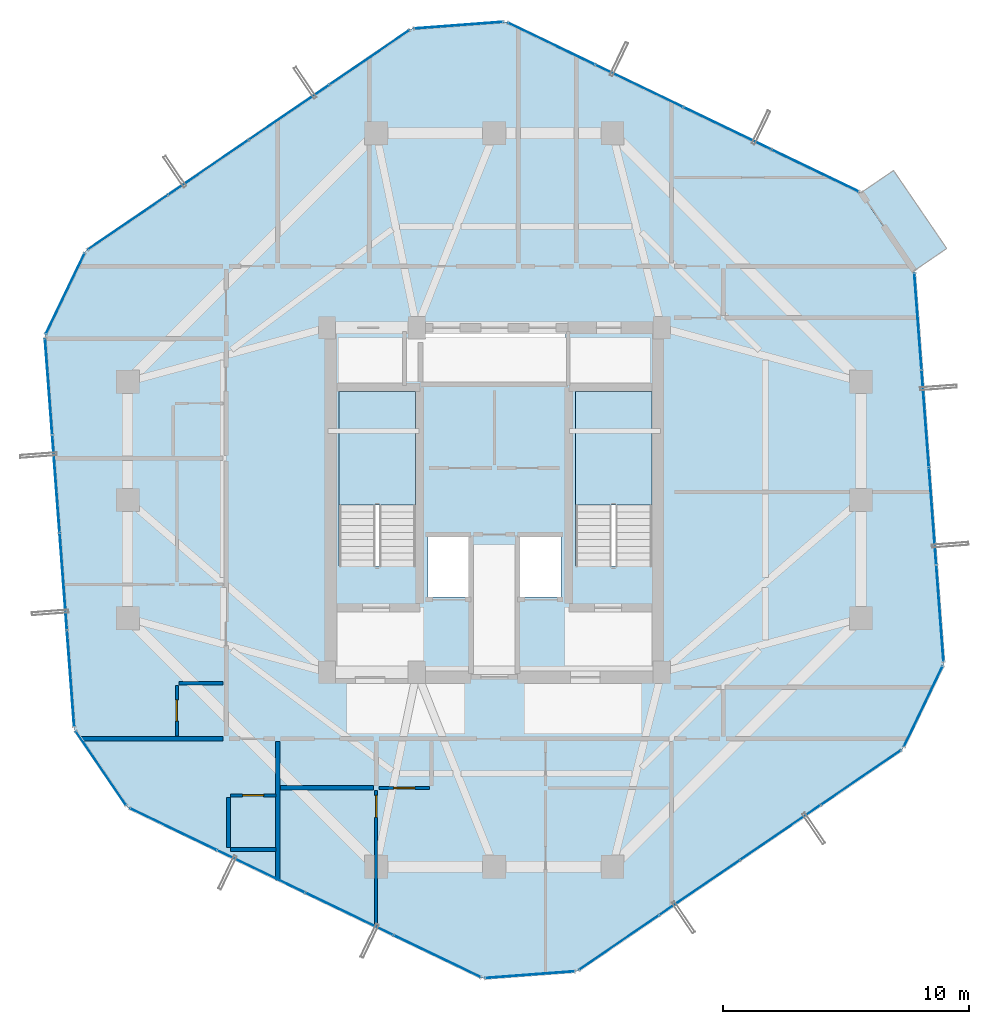
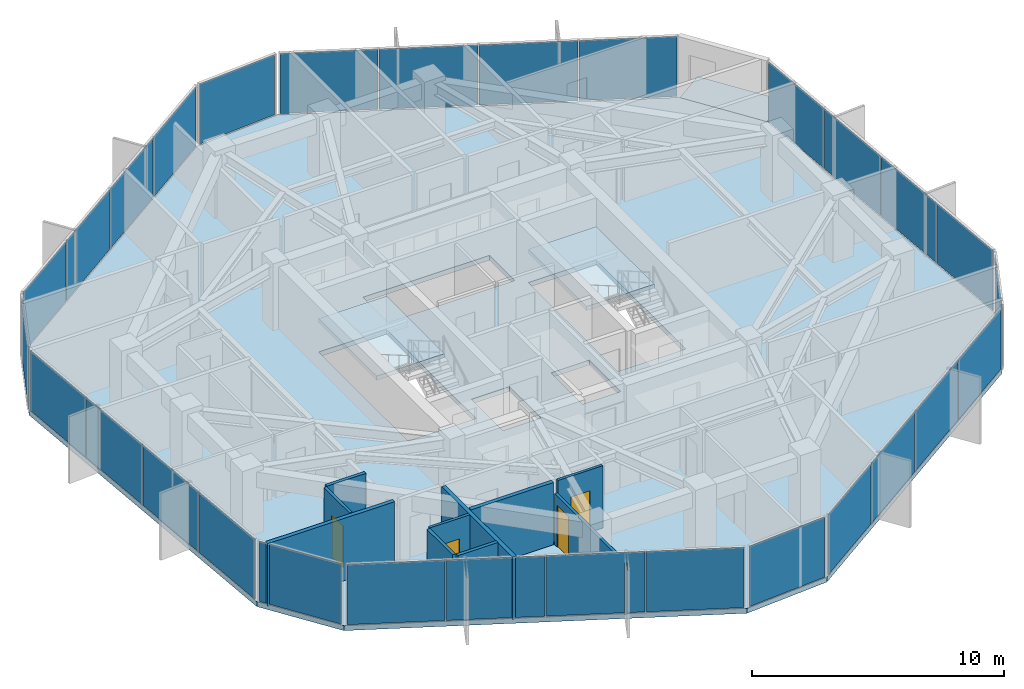
# One storey, part 29 of 34: 29 plates, 10 walls, 4 doors, 4 slabs, 4 openings, 13 elements without a shape of their own.
"""IFC4 building model written with IfcOpenShell, lengths in metres."""

from ifc_helpers import new_model, si_unit, direction, frame, frame_2d, origin, origin_2d, place, context, subcontext, project, spatial, polyline, rectangle, outline, extrude, source, transform, mapped, material, layer, layer_set, type_object, element, fill, aggregate, save


model = new_model("IFC4")

# Units and contexts
model_context = context("Model", 3, precision=1e-05, world=origin(), true_north=direction((0.0, 1.0)))
body_context = subcontext(model_context, "Body", "Model", "MODEL_VIEW")
ifc_project = project(units=[si_unit("LENGTHUNIT", "METRE"), si_unit("AREAUNIT", "SQUARE_METRE"), si_unit("VOLUMEUNIT", "CUBIC_METRE"), si_unit("PLANEANGLEUNIT", "RADIAN"), si_unit("MASSUNIT", "GRAM", prefix="KILO")], contexts=[model_context])

# Site, building, storey
site_placement = place(None, origin())
site = spatial("IfcSite", under=ifc_project, at=site_placement, CompositionType="ELEMENT")
building_placement = place(site_placement, origin())
building = spatial("IfcBuilding", under=site, at=building_placement, Name="Veraguas Prism Commons", CompositionType="ELEMENT")
storey_placement = place(building_placement, frame((0.0, 0.0, 191.85009765625)))
storey = spatial("IfcBuildingStorey", under=building, at=storey_placement, Name="L54", CompositionType="ELEMENT", Elevation=191.85009765625)

# Stair, slab
ifc_material_1 = material(Name="Precast concrete C45/55", Category="concrete")
stair_type = type_object("IfcStairType", Name="Dogleg Core Stair 1480W 20R 05", PredefinedType="HALF_TURN_STAIR", material=ifc_material_1)
stair_1_placement = place(storey_placement, origin())
stair_1 = element("IfcStair", 1, at=stair_1_placement, inside=storey, type_object=stair_type, Name="Protected Exit Stair ST-01 L54", PredefinedType="HALF_TURN_STAIR")
ifc_layer_1 = layer(ifc_material_1, 0.199951171875, Name="Precast Stair and Ramp Landing Slab 200", Category="concrete")
ifc_layer_set_1 = layer_set([ifc_layer_1], Name="Precast concrete C45/55")
slab_type_1 = type_object("IfcSlabType", Name="Precast Stair and Ramp Landing Slab 200", PredefinedType="LANDING", material=ifc_layer_set_1)
slab_1_placement = place(storey_placement, frame((0.0, 0.0, 1.4248046875)))
slab_1 = element("IfcSlab", 2, at=slab_1_placement, type_object=slab_type_1, Name="ST-05 Landing 1", PredefinedType="LANDING", context=body_context, shape_type="SweptSolid", body=[
    extrude(outline(polyline([(20.800048828125, 23.800048828125), (20.800048828125, 28.39990234375), (17.68994140625, 28.39990234375), (17.68994140625, 23.800048828125), (20.800048828125, 23.800048828125)])), origin(), (0.0, 0.0, 1.0), 0.2001953125),
])
aggregate(stair_1, [slab_1])

stair_2_placement = place(storey_placement, origin())
stair_2 = element("IfcStair", 3, at=stair_2_placement, inside=storey, type_object=stair_type, Name="Protected Exit Stair ST-02 L54", PredefinedType="HALF_TURN_STAIR")
slab_2_placement = place(storey_placement, frame((0.0, 0.0, 1.4248046875)))
slab_2 = element("IfcSlab", 4, at=slab_2_placement, type_object=slab_type_1, Name="ST-05 Landing 1", PredefinedType="LANDING", context=body_context, shape_type="SweptSolid", body=[
    extrude(outline(polyline([(30.39990234375, 23.800048828125), (30.39990234375, 28.39990234375), (27.2900390625, 28.39990234375), (27.2900390625, 23.800048828125), (30.39990234375, 23.800048828125)])), origin(), (0.0, 0.0, 1.0), 0.2001953125),
])
aggregate(stair_2, [slab_2])

# Slabs
ifc_material_2 = material(Name="Concrete C45/55", Category="concrete")
ifc_layer_2 = layer(ifc_material_2, 0.219970703125, Name="Recessed Loggia and Terrace Slab RC 220", Category="concrete")
ifc_layer_set_2 = layer_set([ifc_layer_2], Name="Concrete C45/55")
slab_type_2 = type_object("IfcSlabType", Name="Recessed Loggia and Terrace Slab RC 220", PredefinedType="FLOOR", material=ifc_layer_set_2)
slab_3_placement = place(storey_placement, frame((0.0, 0.0, -0.22021484375)))
element("IfcSlab", 5, at=slab_3_placement, inside=storey, type_object=slab_type_2, Name="Recessed Corner Loggia L54-C1", PredefinedType="FLOOR", context=body_context, shape_type="SweptSolid", body=[
    extrude(outline(polyline([(41.043212890625, 33.305419921875), (42.38134765625, 34.21826171875), (40.220703125, 37.3857421875), (38.88232421875, 36.472900390625), (41.043212890625, 33.305419921875)])), origin(), (0.0, 0.0, 1.0), 0.22021484375),
])
ifc_layer_3 = layer(ifc_material_2, 0.235107421875, Name="Tower Upper Residential Floor Slab RC 235", Category="concrete")
ifc_layer_set_3 = layer_set([ifc_layer_3], Name="Concrete C45/55")
slab_type_3 = type_object("IfcSlabType", Name="Tower Upper Residential Floor Slab RC 235", PredefinedType="FLOOR", material=ifc_layer_set_3)
slab_4_placement = place(storey_placement, frame((0.0, 0.0, -0.235107421875)))
element("IfcSlab", 6, at=slab_4_placement, inside=storey, type_object=slab_type_3, Name="Tower Floor Slab L54", PredefinedType="FLOOR", context=body_context, shape_type="SweptSolid", body=[
    extrude(outline(polyline([(41.059814453125, 33.316650390625), (38.89892578125, 36.484130859375), (24.46142578125, 43.432373046875), (20.637939453125, 43.14501953125), (7.40185546875, 34.11572265625), (5.739013671875, 30.660888671875), (6.940185546875, 14.683349609375), (9.10107421875, 11.515869140625), (23.53857421875, 4.567626953125), (27.362060546875, 4.85498046875), (40.59814453125, 13.88427734375), (42.260986328125, 17.339111328125), (41.059814453125, 33.316650390625)]), holes=[polyline([(20.800048828125, 21.31005859375), (20.800048828125, 28.39990234375), (17.68994140625, 28.39990234375), (17.68994140625, 21.31005859375), (20.800048828125, 21.31005859375)]), polyline([(30.39990234375, 21.31005859375), (30.39990234375, 28.39990234375), (27.2900390625, 28.39990234375), (27.2900390625, 21.31005859375), (30.39990234375, 21.31005859375)]), polyline([(21.10009765625, 28.800048828125), (26.89990234375, 28.800048828125), (26.89990234375, 30.800048828125), (21.10009765625, 30.800048828125), (21.10009765625, 28.800048828125)]), polyline([(21.300048828125, 20.050048828125), (23.050048828125, 20.050048828125), (23.050048828125, 22.550048828125), (21.300048828125, 22.550048828125), (21.300048828125, 20.050048828125)]), polyline([(24.949951171875, 20.050048828125), (26.699951171875, 20.050048828125), (26.699951171875, 22.550048828125), (24.949951171875, 22.550048828125), (24.949951171875, 20.050048828125)])]), origin(), (0.0, 0.0, 1.0), 0.235107421875),
])

# Curtain wall, plates
ifc_material_3 = material(Name="Anodised aluminium EN AW-6063 T6", Category="aluminium")
ifc_layer_4 = layer(ifc_material_3, 0.14990234375, Name="Unitised Flush Curtain Wall Zone 3", Category="aluminium")
ifc_layer_set_4 = layer_set([ifc_layer_4], Name="Anodised aluminium EN AW-6063 T6")
curtain_wall_type = type_object("IfcCurtainWallType", Name="Unitised Flush Curtain Wall Zone 3", PredefinedType="NOTDEFINED", material=ifc_layer_set_4)
curtain_wall_1_placement = place(storey_placement, origin())
curtain_wall_1 = element("IfcCurtainWall", 7, at=curtain_wall_1_placement, inside=storey, type_object=curtain_wall_type, Name="Tower Facade Curtain Wall L54-F1", PredefinedType="NOTDEFINED")
ifc_material_4 = material(Name="Laminated low-e glass", Category="glass")
ifc_layer_5 = layer(ifc_material_4, 0.028076171875, Name="Unitised Double Low-E Glazed Panel 28", Category="glass")
ifc_layer_set_5 = layer_set([ifc_layer_5], Name="Laminated low-e glass")
plate_type = type_object("IfcPlateType", Name="Unitised Double Low-E Glazed Panel 28", PredefinedType="CURTAIN_PANEL", material=ifc_layer_set_5)
shared_shape_1 = source(origin(), body_context, "Body", "SweptSolid", [
    extrude(rectangle(XDim=3.885498046875, YDim=0.028076171875, at=origin_2d()), origin(), (0.0, 0.0, 1.0), 2.905029296875),
])
plate_1_placement = place(storey_placement, frame((37.0400390625, 37.378662109375, 0.0546875), z_axis=(0.0, 0.0, 1.0), x_axis=(-0.901073993789, 0.433665375281, 0.0)))
plate_1 = element("IfcPlate", 8, at=plate_1_placement, type_object=plate_type, Name="CW-Z3 Panel 1.1", PredefinedType="CURTAIN_PANEL", context=body_context, shape_type="MappedRepresentation", body=[
    mapped(shared_shape_1, transform((0.0, 0.0, 0.0), scale=1.0)),
])
plate_2_placement = place(storey_placement, frame((26.3203125, 42.537841796875, 0.0546875), z_axis=(0.0, 0.0, 1.0), x_axis=(-0.901073993789, 0.433665375281, 0.0)))
plate_2 = element("IfcPlate", 9, at=plate_2_placement, type_object=plate_type, Name="CW-Z3 Panel 4.1", PredefinedType="CURTAIN_PANEL", context=body_context, shape_type="MappedRepresentation", body=[
    mapped(shared_shape_1, transform((0.0, 0.0, 0.0), scale=1.0)),
])

curtain_wall_2_placement = place(storey_placement, origin())
curtain_wall_2 = element("IfcCurtainWall", 10, at=curtain_wall_2_placement, inside=storey, type_object=curtain_wall_type, Name="Tower Facade Curtain Wall L54-F2", PredefinedType="NOTDEFINED")
plate_3_placement = place(storey_placement, frame((18.933837890625, 41.982421875, 0.0546875), z_axis=(0.0, 0.0, 1.0), x_axis=(-0.826095343869, -0.56353037437, 0.0)))
plate_3 = element("IfcPlate", 11, at=plate_3_placement, type_object=plate_type, Name="CW-Z3 Panel 1.1", PredefinedType="CURTAIN_PANEL", context=body_context, shape_type="MappedRepresentation", body=[
    mapped(shared_shape_1, transform((0.0, 0.0, 0.0), scale=1.0)),
])
plate_4_placement = place(storey_placement, frame((9.10595703125, 35.2783203125, 0.0546875), z_axis=(0.0, 0.0, 1.0), x_axis=(-0.826095343869, -0.56353037437, 0.0)))
plate_4 = element("IfcPlate", 12, at=plate_4_placement, type_object=plate_type, Name="CW-Z3 Panel 4.1", PredefinedType="CURTAIN_PANEL", context=body_context, shape_type="MappedRepresentation", body=[
    mapped(shared_shape_1, transform((0.0, 0.0, 0.0), scale=1.0)),
])

curtain_wall_3_placement = place(storey_placement, origin())
curtain_wall_3 = element("IfcCurtainWall", 13, at=curtain_wall_3_placement, inside=storey, type_object=curtain_wall_type, Name="Tower Facade Curtain Wall L54-F4", PredefinedType="NOTDEFINED")
plate_5_placement = place(storey_placement, frame((10.9599609375, 10.621337890625, 0.0546875), z_axis=(0.0, 0.0, 1.0), x_axis=(0.901073993789, -0.433665375281, 0.0)))
plate_5 = element("IfcPlate", 14, at=plate_5_placement, type_object=plate_type, Name="CW-Z3 Panel 1.1", PredefinedType="CURTAIN_PANEL", context=body_context, shape_type="MappedRepresentation", body=[
    mapped(shared_shape_1, transform((0.0, 0.0, 0.0), scale=1.0)),
])
plate_6_placement = place(storey_placement, frame((21.6796875, 5.462158203125, 0.0546875), z_axis=(0.0, 0.0, 1.0), x_axis=(0.901073993789, -0.433665375281, 0.0)))
plate_6 = element("IfcPlate", 15, at=plate_6_placement, type_object=plate_type, Name="CW-Z3 Panel 4.1", PredefinedType="CURTAIN_PANEL", context=body_context, shape_type="MappedRepresentation", body=[
    mapped(shared_shape_1, transform((0.0, 0.0, 0.0), scale=1.0)),
])

curtain_wall_4_placement = place(storey_placement, origin())
curtain_wall_4 = element("IfcCurtainWall", 16, at=curtain_wall_4_placement, inside=storey, type_object=curtain_wall_type, Name="Tower Facade Curtain Wall L54-F5", PredefinedType="NOTDEFINED")
plate_7_placement = place(storey_placement, frame((29.066162109375, 6.017578125, 0.0546875), z_axis=(0.0, 0.0, 1.0), x_axis=(0.826095343869, 0.56353037437, 0.0)))
plate_7 = element("IfcPlate", 17, at=plate_7_placement, type_object=plate_type, Name="CW-Z3 Panel 1.1", PredefinedType="CURTAIN_PANEL", context=body_context, shape_type="MappedRepresentation", body=[
    mapped(shared_shape_1, transform((0.0, 0.0, 0.0), scale=1.0)),
])
plate_8_placement = place(storey_placement, frame((38.89404296875, 12.7216796875, 0.0546875), z_axis=(0.0, 0.0, 1.0), x_axis=(0.826095343869, 0.56353037437, 0.0)))
plate_8 = element("IfcPlate", 18, at=plate_8_placement, type_object=plate_type, Name="CW-Z3 Panel 4.1", PredefinedType="CURTAIN_PANEL", context=body_context, shape_type="MappedRepresentation", body=[
    mapped(shared_shape_1, transform((0.0, 0.0, 0.0), scale=1.0)),
])

# Plate
shared_shape_2 = source(origin(), body_context, "Body", "SweptSolid", [
    extrude(rectangle(XDim=3.91552734375, YDim=0.028076171875, at=origin_2d()), origin(), (0.0, 0.0, 1.0), 2.905029296875),
])
plate_9_placement = place(storey_placement, frame((33.471435546875, 39.09619140625, 0.0546875), z_axis=(0.0, 0.0, 1.0), x_axis=(-0.901073993789, 0.433665375281, 0.0)))
plate_9 = element("IfcPlate", 19, at=plate_9_placement, type_object=plate_type, Name="CW-Z3 Panel 2.1", PredefinedType="CURTAIN_PANEL", context=body_context, shape_type="MappedRepresentation", body=[
    mapped(shared_shape_2, transform((0.0, 0.0, 0.0), scale=1.0)),
])

plate_10_placement = place(storey_placement, frame((29.88916015625, 40.8203125, 0.0546875), z_axis=(0.0, 0.0, 1.0), x_axis=(-0.901073993789, 0.433665375281, 0.0)))
plate_10 = element("IfcPlate", 20, at=plate_10_placement, type_object=plate_type, Name="CW-Z3 Panel 3.1", PredefinedType="CURTAIN_PANEL", context=body_context, shape_type="MappedRepresentation", body=[
    mapped(shared_shape_2, transform((0.0, 0.0, 0.0), scale=1.0)),
])

aggregate(curtain_wall_1, [plate_1, plate_9, plate_10, plate_2])

plate_11_placement = place(storey_placement, frame((15.661865234375, 39.75048828125, 0.0546875), z_axis=(0.0, 0.0, 1.0), x_axis=(-0.826095343869, -0.56353037437, 0.0)))
plate_11 = element("IfcPlate", 21, at=plate_11_placement, type_object=plate_type, Name="CW-Z3 Panel 2.1", PredefinedType="CURTAIN_PANEL", context=body_context, shape_type="MappedRepresentation", body=[
    mapped(shared_shape_2, transform((0.0, 0.0, 0.0), scale=1.0)),
])

plate_12_placement = place(storey_placement, frame((12.377685546875, 37.51025390625, 0.0546875), z_axis=(0.0, 0.0, 1.0), x_axis=(-0.826095343869, -0.56353037437, 0.0)))
plate_12 = element("IfcPlate", 22, at=plate_12_placement, type_object=plate_type, Name="CW-Z3 Panel 3.1", PredefinedType="CURTAIN_PANEL", context=body_context, shape_type="MappedRepresentation", body=[
    mapped(shared_shape_2, transform((0.0, 0.0, 0.0), scale=1.0)),
])

aggregate(curtain_wall_2, [plate_3, plate_11, plate_12, plate_4])

# Curtain wall, plates
curtain_wall_5_placement = place(storey_placement, origin())
curtain_wall_5 = element("IfcCurtainWall", 23, at=curtain_wall_5_placement, inside=storey, type_object=curtain_wall_type, Name="Tower Facade Curtain Wall L54-F3", PredefinedType="NOTDEFINED")
plate_13_placement = place(storey_placement, frame((6.190673828125, 24.654296875, 0.0546875), z_axis=(0.0, 0.0, 1.0), x_axis=(0.074975245993, -0.997185395244, 0.0)))
plate_13 = element("IfcPlate", 24, at=plate_13_placement, type_object=plate_type, Name="CW-Z3 Panel 2.1", PredefinedType="CURTAIN_PANEL", context=body_context, shape_type="MappedRepresentation", body=[
    mapped(shared_shape_2, transform((0.0, 0.0, 0.0), scale=1.0)),
])
plate_14_placement = place(storey_placement, frame((6.48876953125, 20.68994140625, 0.0546875), z_axis=(0.0, 0.0, 1.0), x_axis=(0.074975245993, -0.997185395244, 0.0)))
plate_14 = element("IfcPlate", 25, at=plate_14_placement, type_object=plate_type, Name="CW-Z3 Panel 3.1", PredefinedType="CURTAIN_PANEL", context=body_context, shape_type="MappedRepresentation", body=[
    mapped(shared_shape_2, transform((0.0, 0.0, 0.0), scale=1.0)),
])

# Plate
plate_15_placement = place(storey_placement, frame((14.528564453125, 8.90380859375, 0.0546875), z_axis=(0.0, 0.0, 1.0), x_axis=(0.901073993789, -0.433665375281, 0.0)))
plate_15 = element("IfcPlate", 26, at=plate_15_placement, type_object=plate_type, Name="CW-Z3 Panel 2.1", PredefinedType="CURTAIN_PANEL", context=body_context, shape_type="MappedRepresentation", body=[
    mapped(shared_shape_2, transform((0.0, 0.0, 0.0), scale=1.0)),
])

plate_16_placement = place(storey_placement, frame((18.11083984375, 7.1796875, 0.0546875), z_axis=(0.0, 0.0, 1.0), x_axis=(0.901073993789, -0.433665375281, 0.0)))
plate_16 = element("IfcPlate", 27, at=plate_16_placement, type_object=plate_type, Name="CW-Z3 Panel 3.1", PredefinedType="CURTAIN_PANEL", context=body_context, shape_type="MappedRepresentation", body=[
    mapped(shared_shape_2, transform((0.0, 0.0, 0.0), scale=1.0)),
])

aggregate(curtain_wall_3, [plate_5, plate_15, plate_16, plate_6])

plate_17_placement = place(storey_placement, frame((32.338134765625, 8.24951171875, 0.0546875), z_axis=(0.0, 0.0, 1.0), x_axis=(0.826095343869, 0.56353037437, 0.0)))
plate_17 = element("IfcPlate", 28, at=plate_17_placement, type_object=plate_type, Name="CW-Z3 Panel 2.1", PredefinedType="CURTAIN_PANEL", context=body_context, shape_type="MappedRepresentation", body=[
    mapped(shared_shape_2, transform((0.0, 0.0, 0.0), scale=1.0)),
])

plate_18_placement = place(storey_placement, frame((35.622314453125, 10.48974609375, 0.0546875), z_axis=(0.0, 0.0, 1.0), x_axis=(0.826095343869, 0.56353037437, 0.0)))
plate_18 = element("IfcPlate", 29, at=plate_18_placement, type_object=plate_type, Name="CW-Z3 Panel 3.1", PredefinedType="CURTAIN_PANEL", context=body_context, shape_type="MappedRepresentation", body=[
    mapped(shared_shape_2, transform((0.0, 0.0, 0.0), scale=1.0)),
])

aggregate(curtain_wall_4, [plate_7, plate_17, plate_18, plate_8])

# Curtain wall, plates
curtain_wall_6_placement = place(storey_placement, origin())
curtain_wall_6 = element("IfcCurtainWall", 30, at=curtain_wall_6_placement, inside=storey, type_object=curtain_wall_type, Name="Tower Facade Curtain Wall L54-F6", PredefinedType="NOTDEFINED")
plate_19_placement = place(storey_placement, frame((41.809326171875, 23.345703125, 0.0546875), z_axis=(0.0, 0.0, 1.0), x_axis=(-0.074975245993, 0.997185395244, 0.0)))
plate_19 = element("IfcPlate", 31, at=plate_19_placement, type_object=plate_type, Name="CW-Z3 Panel 2.1", PredefinedType="CURTAIN_PANEL", context=body_context, shape_type="MappedRepresentation", body=[
    mapped(shared_shape_2, transform((0.0, 0.0, 0.0), scale=1.0)),
])
plate_20_placement = place(storey_placement, frame((41.51123046875, 27.31005859375, 0.0546875), z_axis=(0.0, 0.0, 1.0), x_axis=(-0.074975245993, 0.997185395244, 0.0)))
plate_20 = element("IfcPlate", 32, at=plate_20_placement, type_object=plate_type, Name="CW-Z3 Panel 3.1", PredefinedType="CURTAIN_PANEL", context=body_context, shape_type="MappedRepresentation", body=[
    mapped(shared_shape_2, transform((0.0, 0.0, 0.0), scale=1.0)),
])

# Plate
shared_shape_3 = source(origin(), body_context, "Body", "SweptSolid", [
    extrude(rectangle(XDim=3.8857421875, YDim=0.028076171875, at=origin_2d()), origin(), (0.0, 0.0, 1.0), 2.905029296875),
])
plate_21_placement = place(storey_placement, frame((5.8935546875, 28.603759765625, 0.0546875), z_axis=(0.0, 0.0, 1.0), x_axis=(0.074975245993, -0.997185395244, 0.0)))
plate_21 = element("IfcPlate", 33, at=plate_21_placement, type_object=plate_type, Name="CW-Z3 Panel 1.1", PredefinedType="CURTAIN_PANEL", context=body_context, shape_type="MappedRepresentation", body=[
    mapped(shared_shape_3, transform((0.0, 0.0, 0.0), scale=1.0)),
])

plate_22_placement = place(storey_placement, frame((6.78564453125, 16.740478515625, 0.0546875), z_axis=(0.0, 0.0, 1.0), x_axis=(0.074975245993, -0.997185395244, 0.0)))
plate_22 = element("IfcPlate", 34, at=plate_22_placement, type_object=plate_type, Name="CW-Z3 Panel 4.1", PredefinedType="CURTAIN_PANEL", context=body_context, shape_type="MappedRepresentation", body=[
    mapped(shared_shape_3, transform((0.0, 0.0, 0.0), scale=1.0)),
])

aggregate(curtain_wall_5, [plate_21, plate_13, plate_14, plate_22])

plate_23_placement = place(storey_placement, frame((42.1064453125, 19.396240234375, 0.0546875), z_axis=(0.0, 0.0, 1.0), x_axis=(-0.074975245993, 0.997185395244, 0.0)))
plate_23 = element("IfcPlate", 35, at=plate_23_placement, type_object=plate_type, Name="CW-Z3 Panel 1.1", PredefinedType="CURTAIN_PANEL", context=body_context, shape_type="MappedRepresentation", body=[
    mapped(shared_shape_3, transform((0.0, 0.0, 0.0), scale=1.0)),
])

plate_24_placement = place(storey_placement, frame((41.21435546875, 31.259521484375, 0.0546875), z_axis=(0.0, 0.0, 1.0), x_axis=(-0.074975245993, 0.997185395244, 0.0)))
plate_24 = element("IfcPlate", 36, at=plate_24_placement, type_object=plate_type, Name="CW-Z3 Panel 4.1", PredefinedType="CURTAIN_PANEL", context=body_context, shape_type="MappedRepresentation", body=[
    mapped(shared_shape_3, transform((0.0, 0.0, 0.0), scale=1.0)),
])

aggregate(curtain_wall_6, [plate_23, plate_19, plate_20, plate_24])

# Curtain wall, plate
curtain_wall_7_placement = place(storey_placement, origin())
curtain_wall_7 = element("IfcCurtainWall", 37, at=curtain_wall_7_placement, inside=storey, type_object=curtain_wall_type, Name="Chamfer Curtain Wall L54-C3", PredefinedType="NOTDEFINED")
shared_shape_4 = source(origin(), body_context, "Body", "SweptSolid", [
    extrude(rectangle(XDim=3.59423828125, YDim=0.028076171875, at=origin_2d()), origin(), (0.0, 0.0, 1.0), 2.905029296875),
])
plate_25_placement = place(storey_placement, frame((6.5703125, 32.38818359375, 0.0546875), z_axis=(0.0, 0.0, 1.0), x_axis=(-0.433679529265, -0.901067181678, 0.0)))
plate_25 = element("IfcPlate", 38, at=plate_25_placement, type_object=plate_type, Name="CW-Z3 Panel 1.1", PredefinedType="CURTAIN_PANEL", context=body_context, shape_type="MappedRepresentation", body=[
    mapped(shared_shape_4, transform((0.0, 0.0, 0.0), scale=1.0)),
])
aggregate(curtain_wall_7, [plate_25])

curtain_wall_8_placement = place(storey_placement, origin())
curtain_wall_8 = element("IfcCurtainWall", 39, at=curtain_wall_8_placement, inside=storey, type_object=curtain_wall_type, Name="Chamfer Curtain Wall L54-C4", PredefinedType="NOTDEFINED")
plate_26_placement = place(storey_placement, frame((8.020751953125, 13.099609375, 0.0546875), z_axis=(0.0, 0.0, 1.0), x_axis=(0.563553443085, -0.82607960681, 0.0)))
plate_26 = element("IfcPlate", 40, at=plate_26_placement, type_object=plate_type, Name="CW-Z3 Panel 1.1", PredefinedType="CURTAIN_PANEL", context=body_context, shape_type="MappedRepresentation", body=[
    mapped(shared_shape_4, transform((0.0, 0.0, 0.0), scale=1.0)),
])
aggregate(curtain_wall_8, [plate_26])

curtain_wall_9_placement = place(storey_placement, origin())
curtain_wall_9 = element("IfcCurtainWall", 41, at=curtain_wall_9_placement, inside=storey, type_object=curtain_wall_type, Name="Chamfer Curtain Wall L54-C6", PredefinedType="NOTDEFINED")
plate_27_placement = place(storey_placement, frame((41.4296875, 15.61181640625, 0.0546875), z_axis=(0.0, 0.0, 1.0), x_axis=(0.433679529265, 0.901067181678, 0.0)))
plate_27 = element("IfcPlate", 42, at=plate_27_placement, type_object=plate_type, Name="CW-Z3 Panel 1.1", PredefinedType="CURTAIN_PANEL", context=body_context, shape_type="MappedRepresentation", body=[
    mapped(shared_shape_4, transform((0.0, 0.0, 0.0), scale=1.0)),
])
aggregate(curtain_wall_9, [plate_27])

curtain_wall_10_placement = place(storey_placement, origin())
curtain_wall_10 = element("IfcCurtainWall", 43, at=curtain_wall_10_placement, inside=storey, type_object=curtain_wall_type, Name="Chamfer Curtain Wall L54-C2", PredefinedType="NOTDEFINED")
shared_shape_5 = source(origin(), body_context, "Body", "SweptSolid", [
    extrude(rectangle(XDim=3.594482421875, YDim=0.028076171875, at=origin_2d()), origin(), (0.0, 0.0, 1.0), 2.905029296875),
])
plate_28_placement = place(storey_placement, frame((22.5498046875, 43.28857421875, 0.0546875), z_axis=(0.0, 0.0, 1.0), x_axis=(-0.997185264386, -0.07497698641, 0.0)))
plate_28 = element("IfcPlate", 44, at=plate_28_placement, type_object=plate_type, Name="CW-Z3 Panel 1.1", PredefinedType="CURTAIN_PANEL", context=body_context, shape_type="MappedRepresentation", body=[
    mapped(shared_shape_5, transform((0.0, 0.0, 0.0), scale=1.0)),
])
aggregate(curtain_wall_10, [plate_28])

curtain_wall_11_placement = place(storey_placement, origin())
curtain_wall_11 = element("IfcCurtainWall", 45, at=curtain_wall_11_placement, inside=storey, type_object=curtain_wall_type, Name="Chamfer Curtain Wall L54-C5", PredefinedType="NOTDEFINED")
plate_29_placement = place(storey_placement, frame((25.4501953125, 4.71142578125, 0.0546875), z_axis=(0.0, 0.0, 1.0), x_axis=(0.997185264386, 0.07497698641, 0.0)))
plate_29 = element("IfcPlate", 46, at=plate_29_placement, type_object=plate_type, Name="CW-Z3 Panel 1.1", PredefinedType="CURTAIN_PANEL", context=body_context, shape_type="MappedRepresentation", body=[
    mapped(shared_shape_5, transform((0.0, 0.0, 0.0), scale=1.0)),
])
aggregate(curtain_wall_11, [plate_29])

# Walls
ifc_material_5 = material(Name="Autoclaved aerated masonry block 10 MPa", Category="masonry")
ifc_layer_6 = layer(ifc_material_5, 0.179931640625, Name="Corridor and Inter-Tenancy Partition 180", Category="masonry")
ifc_layer_set_6 = layer_set([ifc_layer_6], Name="Autoclaved aerated masonry block 10 MPa")
wall_type_1 = type_object("IfcWallType", Name="Corridor and Inter-Tenancy Partition 180", PredefinedType="PARTITIONING", material=ifc_layer_set_6)
wall_1_placement = place(storey_placement, frame((15.199951171875, 14.179931640625, 0.0), z_axis=(0.0, 0.0, 1.0), x_axis=(0.0, -1.0, 0.0)))
element("IfcWall", 47, at=wall_1_placement, inside=storey, type_object=wall_type_1, Name="WL-L54-PT001", PredefinedType="PARTITIONING", context=body_context, shape_type="SweptSolid", body=[
    extrude(rectangle(XDim=5.632568359375, YDim=0.179931640625, at=frame_2d((2.81640625, 0.0))), origin(), (0.0, 0.0, 1.0), 3.014892578125),
])
wall_2_placement = place(storey_placement, frame((15.320068359375, 12.300048828125, 0.0), z_axis=(0.0, 0.0, 1.0), x_axis=(1.0, 0.0, 0.0)))
element("IfcWall", 48, at=wall_2_placement, inside=storey, type_object=wall_type_1, Name="WL-L54-PT005", PredefinedType="PARTITIONING", context=body_context, shape_type="SweptSolid", body=[
    extrude(rectangle(XDim=3.780029296875, YDim=0.179931640625, at=frame_2d((1.89013671875, 0.0))), origin(), (0.0, 0.0, 1.0), 3.014892578125),
])
wall_3_placement = place(storey_placement, frame((12.97998046875, 14.300048828125, 0.0), z_axis=(0.0, 0.0, 1.0), x_axis=(-1.0, 0.0, 0.0)))
element("IfcWall", 49, at=wall_3_placement, inside=storey, type_object=wall_type_1, Name="WL-L54-PT022", PredefinedType="PARTITIONING", context=body_context, shape_type="SweptSolid", body=[
    extrude(rectangle(XDim=5.814453125, YDim=0.179931640625, at=frame_2d((2.9072265625, 0.0))), origin(), (0.0, 0.0, 1.0), 3.014892578125),
])

# Wall, opening, door
ifc_material_6 = material(Name="Lightweight acoustic gypsum board")
ifc_layer_7 = layer(ifc_material_6, 0.125, Name="Internal Apartment Room Partition 125")
ifc_layer_set_7 = layer_set([ifc_layer_7], Name="Lightweight acoustic gypsum board")
wall_type_2 = type_object("IfcWallType", Name="Internal Apartment Room Partition 125", PredefinedType="PARTITIONING", material=ifc_layer_set_7)
wall_4_placement = place(storey_placement, frame((19.199951171875, 12.199951171875, 0.0), z_axis=(0.0, 0.0, 1.0), x_axis=(0.0, -1.0, 0.0)))
wall_4 = element("IfcWall", 50, at=wall_4_placement, inside=storey, type_object=wall_type_2, Name="WL-L54-PT007", PredefinedType="PARTITIONING", context=body_context, shape_type="SweptSolid", body=[
    extrude(rectangle(XDim=5.57763671875, YDim=0.125, at=frame_2d((2.788818359375, 0.0))), origin(), (0.0, 0.0, 1.0), 2.468994140625),
])
opening_1_placement = place(wall_4_placement, frame((0.199951171875, 0.0, 0.0)))
opening_1 = element("IfcOpeningElement", 51, at=opening_1_placement, cuts=wall_4, Name="Opening DR-02", PredefinedType="OPENING", context=body_context, shape_type="SweptSolid", body=[
    extrude(rectangle(XDim=0.89990234375, YDim=2.010009765625, at=frame_2d((0.449951171875, 1.0048828125))), frame((0.0, 0.072509765625, 0.0), z_axis=(0.0, -1.0, 0.0), x_axis=(1.0, 0.0, 0.0)), (0.0, 0.0, 1.0), 0.14501953125),
])
ifc_material_7 = material(Name="Timber solid core hardwood", Category="wood")
door_type_1 = type_object("IfcDoorType", Name="Internal Habitable Room Door 900x2010", OperationType="NOTDEFINED", PredefinedType="DOOR", material=ifc_material_7)
shared_shape_6 = source(origin(), body_context, "Body", "SweptSolid", [
    extrude(rectangle(XDim=0.89990234375, YDim=2.010009765625, at=frame_2d((0.449951171875, 1.0048828125))), frame((0.0, 0.02490234375, 0.0), z_axis=(0.0, -1.0, 0.0), x_axis=(1.0, 0.0, 0.0)), (0.0, 0.0, 1.0), 0.050048828125),
])
door_1_placement = place(opening_1_placement, origin())
door_1 = element("IfcDoor", 52, at=door_1_placement, inside=storey, type_object=door_type_1, Name="Flat 54A Bedroom 2 Door", OperationType="SINGLE_SWING_RIGHT", OverallHeight=2.010009765625, OverallWidth=0.89990234375, PredefinedType="DOOR", context=body_context, shape_type="MappedRepresentation", body=[
    mapped(shared_shape_6, transform((0.0, 0.0, 0.0), scale=1.0)),
])
fill(opening_1, door_1)

wall_5_placement = place(storey_placement, frame((19.320068359375, 12.300048828125, 0.0), z_axis=(0.0, 0.0, 1.0), x_axis=(1.0, 0.0, 0.0)))
wall_5 = element("IfcWall", 53, at=wall_5_placement, inside=storey, type_object=wall_type_2, Name="WL-L54-PT009", PredefinedType="PARTITIONING", context=body_context, shape_type="SweptSolid", body=[
    extrude(rectangle(XDim=2.050048828125, YDim=0.125, at=frame_2d((1.02490234375, 0.0))), origin(), (0.0, 0.0, 1.0), 3.014892578125),
])
opening_2_placement = place(wall_5_placement, frame((0.594970703125, 0.0, 0.0)))
opening_2 = element("IfcOpeningElement", 54, at=opening_2_placement, cuts=wall_5, Name="Opening DR-03", PredefinedType="OPENING", context=body_context, shape_type="SweptSolid", body=[
    extrude(rectangle(XDim=0.860107421875, YDim=2.010009765625, at=frame_2d((0.43017578125, 1.0048828125))), frame((0.0, 0.072509765625, 0.0), z_axis=(0.0, -1.0, 0.0), x_axis=(1.0, 0.0, 0.0)), (0.0, 0.0, 1.0), 0.14501953125),
])
ifc_material_8 = material(Name="Timber moisture-resistant leaf", Category="wood")
door_type_2 = type_object("IfcDoorType", Name="Internal Bathroom Door 860x2010", OperationType="NOTDEFINED", PredefinedType="DOOR", material=ifc_material_8)
shared_shape_7 = source(origin(), body_context, "Body", "SweptSolid", [
    extrude(rectangle(XDim=0.860107421875, YDim=2.010009765625, at=frame_2d((0.43017578125, 1.0048828125))), frame((0.0, 0.02490234375, 0.0), z_axis=(0.0, -1.0, 0.0), x_axis=(1.0, 0.0, 0.0)), (0.0, 0.0, 1.0), 0.050048828125),
])
door_2_placement = place(opening_2_placement, origin())
door_2 = element("IfcDoor", 55, at=door_2_placement, inside=storey, type_object=door_type_2, Name="Flat 54A Bathroom Door", OperationType="SINGLE_SWING_LEFT", OverallHeight=2.010009765625, OverallWidth=0.860107421875, PredefinedType="DOOR", context=body_context, shape_type="MappedRepresentation", body=[
    mapped(shared_shape_7, transform((0.0, 0.0, 0.0), scale=1.0)),
])
fill(opening_2, door_2)

wall_6_placement = place(storey_placement, frame((11.10009765625, 14.419921875, 0.0), z_axis=(0.0, 0.0, 1.0), x_axis=(0.0, 1.0, 0.0)))
wall_6 = element("IfcWall", 56, at=wall_6_placement, inside=storey, type_object=wall_type_2, Name="WL-L54-PT026", PredefinedType="PARTITIONING", context=body_context, shape_type="SweptSolid", body=[
    extrude(rectangle(XDim=2.050048828125, YDim=0.125, at=frame_2d((1.02490234375, 0.0))), origin(), (0.0, 0.0, 1.0), 3.014892578125),
])
opening_3_placement = place(wall_6_placement, frame((0.594970703125, 0.0, 0.0)))
opening_3 = element("IfcOpeningElement", 57, at=opening_3_placement, cuts=wall_6, Name="Opening DR-03", PredefinedType="OPENING", context=body_context, shape_type="SweptSolid", body=[
    extrude(rectangle(XDim=0.860107421875, YDim=2.010009765625, at=frame_2d((0.43017578125, 1.0048828125))), frame((0.0, 0.072509765625, 0.0), z_axis=(0.0, -1.0, 0.0), x_axis=(1.0, 0.0, 0.0)), (0.0, 0.0, 1.0), 0.14501953125),
])
door_3_placement = place(opening_3_placement, origin())
door_3 = element("IfcDoor", 58, at=door_3_placement, inside=storey, type_object=door_type_2, Name="Flat 54B Bathroom Door", OperationType="SINGLE_SWING_LEFT", OverallHeight=2.010009765625, OverallWidth=0.860107421875, PredefinedType="DOOR", context=body_context, shape_type="MappedRepresentation", body=[
    mapped(shared_shape_7, transform((0.0, 0.0, 0.0), scale=1.0)),
])
fill(opening_3, door_3)

wall_7_placement = place(storey_placement, frame((13.280029296875, 12.0, 0.0), z_axis=(0.0, 0.0, 1.0), x_axis=(1.0, 0.0, 0.0)))
wall_7 = element("IfcWall", 59, at=wall_7_placement, inside=storey, type_object=wall_type_2, Name="WL-L54-PT044", PredefinedType="PARTITIONING", context=body_context, shape_type="SweptSolid", body=[
    extrude(rectangle(XDim=1.840087890625, YDim=0.125, at=frame_2d((0.919921875, 0.0))), origin(), (0.0, 0.0, 1.0), 3.014892578125),
])
opening_4_placement = place(wall_7_placement, frame((0.489990234375, 0.0, 0.0)))
opening_4 = element("IfcOpeningElement", 60, at=opening_4_placement, cuts=wall_7, Name="Opening DR-03", PredefinedType="OPENING", context=body_context, shape_type="SweptSolid", body=[
    extrude(rectangle(XDim=0.860107421875, YDim=2.010009765625, at=frame_2d((0.43017578125, 1.0048828125))), frame((0.0, 0.072509765625, 0.0), z_axis=(0.0, -1.0, 0.0), x_axis=(1.0, 0.0, 0.0)), (0.0, 0.0, 1.0), 0.14501953125),
])
door_4_placement = place(opening_4_placement, origin())
door_4 = element("IfcDoor", 61, at=door_4_placement, inside=storey, type_object=door_type_2, Name="Studio 54D Bathroom Door", OperationType="SINGLE_SWING_RIGHT", OverallHeight=2.010009765625, OverallWidth=0.860107421875, PredefinedType="DOOR", context=body_context, shape_type="MappedRepresentation", body=[
    mapped(shared_shape_7, transform((0.0, 0.0, 0.0), scale=1.0)),
])
fill(opening_4, door_4)

# Walls
ifc_layer_8 = layer(ifc_material_6, 0.14990234375, Name="Wet Room and Clinic Acoustic Partition 150")
ifc_layer_set_8 = layer_set([ifc_layer_8], Name="Lightweight acoustic gypsum board")
wall_type_3 = type_object("IfcWallType", Name="Wet Room and Clinic Acoustic Partition 150", PredefinedType="PARTITIONING", material=ifc_layer_set_8)
wall_8_placement = place(storey_placement, frame((12.97998046875, 16.550048828125, 0.0), z_axis=(0.0, 0.0, 1.0), x_axis=(-1.0, 0.0, 0.0)))
element("IfcWall", 62, at=wall_8_placement, inside=storey, type_object=wall_type_3, Name="WL-L54-PT025", PredefinedType="PARTITIONING", context=body_context, shape_type="SweptSolid", body=[
    extrude(rectangle(XDim=1.800048828125, YDim=0.14990234375, at=frame_2d((0.89990234375, 0.0))), origin(), (0.0, 0.0, 1.0), 3.014892578125),
])
wall_9_placement = place(storey_placement, frame((13.280029296875, 9.800048828125, 0.0), z_axis=(0.0, 0.0, 1.0), x_axis=(1.0, 0.0, 0.0)))
element("IfcWall", 63, at=wall_9_placement, inside=storey, type_object=wall_type_3, Name="WL-L54-PT045", PredefinedType="PARTITIONING", context=body_context, shape_type="SweptSolid", body=[
    extrude(rectangle(XDim=1.840087890625, YDim=0.14990234375, at=frame_2d((0.919921875, 0.0))), origin(), (0.0, 0.0, 1.0), 3.014892578125),
])
wall_10_placement = place(storey_placement, frame((13.199951171875, 9.8798828125, 0.0), z_axis=(0.0, 0.0, 1.0), x_axis=(0.0, 1.0, 0.0)))
element("IfcWall", 64, at=wall_10_placement, inside=storey, type_object=wall_type_3, Name="WL-L54-PT046", PredefinedType="PARTITIONING", context=body_context, shape_type="SweptSolid", body=[
    extrude(rectangle(XDim=2.0400390625, YDim=0.14990234375, at=frame_2d((1.02001953125, 0.0))), origin(), (0.0, 0.0, 1.0), 3.014892578125),
])

save(model, "model.ifc")
